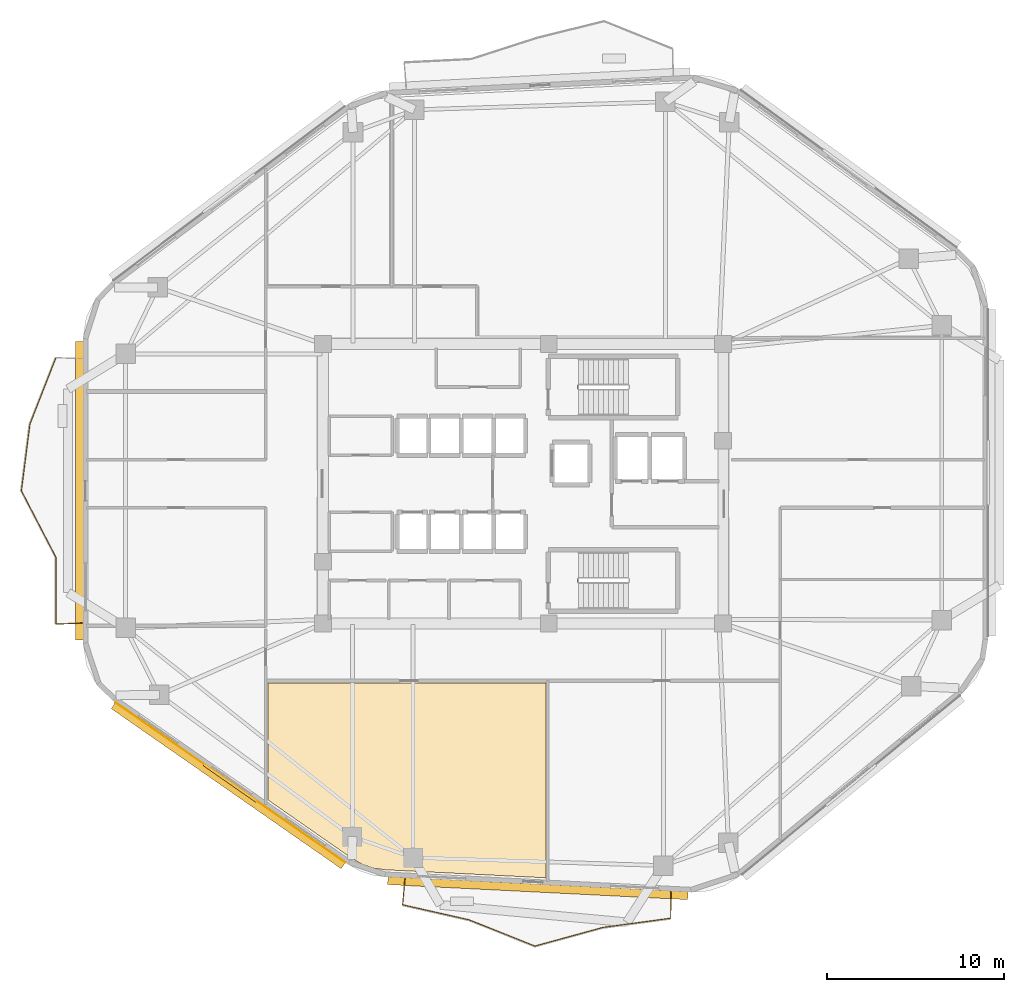
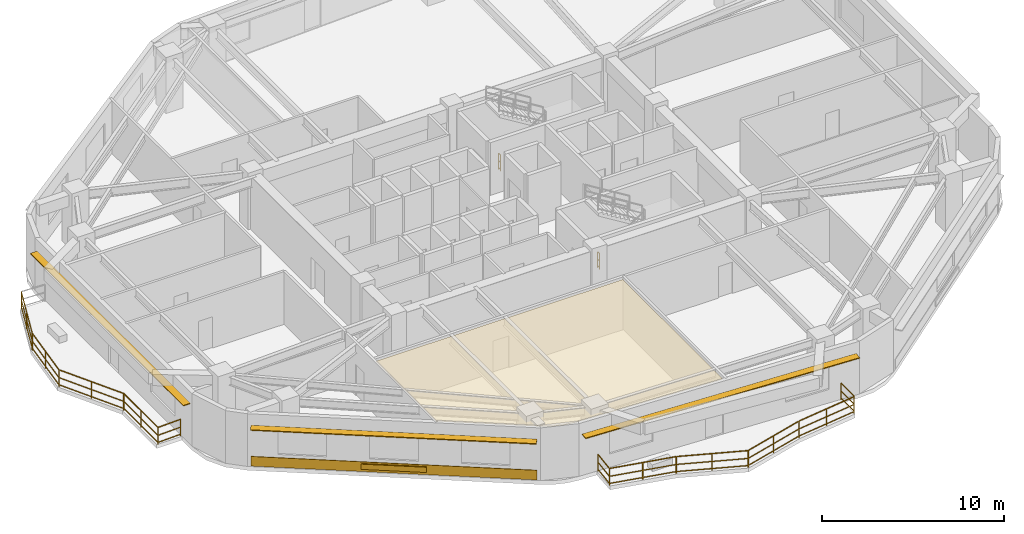
# One storey, part 7 of 9: 13 railings, 4 shading devices, 2 coverings.
"""IFC4 building model written with IfcOpenShell, lengths in metres."""

from ifc_helpers import new_model, si_unit, direction, frame, origin, origin_2d, place, context, subcontext, project, spatial, polyline, rectangle, outline, extrude, material, layer, layer_set, type_object, element, save


model = new_model("IFC4")

# Units and contexts
model_context = context("Model", 3, precision=1e-05, world=origin(), true_north=direction((0.0, 1.0)))
body_context = subcontext(model_context, "Body", "Model", "MODEL_VIEW")
ifc_project = project(units=[si_unit("LENGTHUNIT", "METRE"), si_unit("AREAUNIT", "SQUARE_METRE"), si_unit("VOLUMEUNIT", "CUBIC_METRE"), si_unit("PLANEANGLEUNIT", "RADIAN"), si_unit("MASSUNIT", "GRAM", prefix="KILO")], contexts=[model_context])

# Site, building, storey
site_placement = place(None, origin())
site = spatial("IfcSite", under=ifc_project, at=site_placement, CompositionType="ELEMENT")
building_placement = place(site_placement, origin())
building = spatial("IfcBuilding", under=site, at=building_placement, Name="Zulverin Broadcast Headquarters", CompositionType="ELEMENT")
storey_placement = place(building_placement, frame((0.0, 0.0, 144.0)))
storey = spatial("IfcBuildingStorey", under=building, at=storey_placement, Name="L36", CompositionType="ELEMENT", Elevation=144.0)

# Coverings
ifc_material_1 = material(Name="Perforated pale-metal acoustic baffle ceiling", Category="aluminium")
ifc_layer_1 = layer(ifc_material_1, 0.0400390625, Name="Perforated pale-metal acoustic baffle ceiling", Category="aluminium")
ifc_layer_set_1 = layer_set([ifc_layer_1], Name="Perforated pale-metal acoustic baffle ceiling")
covering_type_1 = type_object("IfcCoveringType", Name="COV-CEIL-ACOU", PredefinedType="CEILING", material=ifc_layer_set_1)
covering_1_placement = place(storey_placement, frame((0.0, 0.0, 3.360107421875)))
element("IfcCovering", 1, at=covering_1_placement, inside=storey, type_object=covering_type_1, Name="L36 Acoustic Baffle Ceiling 03", PredefinedType="CEILING", context=body_context, shape_type="SweptSolid", body=[
    extrude(outline(polyline([(27.947998046875, 3.748046875), (28.56396484375, 3.535888671875), (29.22802734375, 3.444091796875), (38.280029296875, 2.991943359375), (38.280029296875, 13.97998046875), (22.6201171875, 13.97998046875), (22.6201171875, 7.384033203125), (27.367919921875, 4.075927734375), (27.947998046875, 3.748046875)])), origin(), (0.0, 0.0, 1.0), 0.039794921875),
])
ifc_material_2 = material(Name="Brushed pale-aluminium rainscreen cladding", Category="aluminium")
ifc_layer_2 = layer(ifc_material_2, 0.0400390625, Name="Brushed pale-aluminium rainscreen cladding", Category="aluminium")
ifc_layer_set_2 = layer_set([ifc_layer_2], Name="Brushed pale-aluminium rainscreen cladding")
covering_type_2 = type_object("IfcCoveringType", Name="COV-CLAD-PALE", PredefinedType="CLADDING", material=ifc_layer_set_2)
covering_2_placement = place(storey_placement, frame((20.507568359375, 8.35400390625, 0.054931640625), z_axis=(0.0, 0.0, 1.0), x_axis=(0.820695732456, -0.57136548262, 0.0)))
element("IfcCovering", 2, at=covering_2_placement, inside=storey, type_object=covering_type_2, Name="L36 Brushed Pale-Aluminium Spandrel Cladding 8", PredefinedType="CLADDING", context=body_context, shape_type="SweptSolid", body=[
    extrude(rectangle(XDim=15.785400390625, YDim=0.0400390625, at=origin_2d()), origin(), (0.0, 0.0, 1.0), 0.64990234375),
])

# Railings
ifc_material_3 = material(Name="Brushed stainless steel & laminated glass balustrade", Category="steel")
railing_type_1 = type_object("IfcRailingType", Name="RL-GUARD-1150", PredefinedType="GUARDRAIL", material=ifc_material_3)
railing_1_placement = place(storey_placement, frame((10.674560546875, 32.304931640625, 0.0)))
element("IfcRailing", 3, at=railing_1_placement, inside=storey, type_object=railing_type_1, Name="L36 Vertical-Forest Balcony Guardrail BAL_W Segment 02", PredefinedType="GUARDRAIL", context=body_context, shape_type="SweptSolid", body=[
    extrude(rectangle(XDim=0.048095703125, YDim=0.048095703125, at=origin_2d()), frame((0.0, 0.0, 1.1259765625), z_axis=(-0.364486676699, -0.931208603112, 0.0), x_axis=(0.931208603112, -0.364486676699, 0.0)), (0.0, 0.0, 1.0), 4.005615234375),
    extrude(rectangle(XDim=0.0419921875, YDim=0.0419921875, at=origin_2d()), frame((0.0, 0.0, 0.597900390625), z_axis=(-0.364486676699, -0.931208603112, 0.0), x_axis=(0.931208603112, -0.364486676699, 0.0)), (0.0, 0.0, 1.0), 4.005615234375),
    extrude(rectangle(XDim=0.0419921875, YDim=0.0419921875, at=origin_2d()), frame((0.0, 0.0, 0.1201171875), z_axis=(-0.364486676699, -0.931208603112, 0.0), x_axis=(0.931208603112, -0.364486676699, 0.0)), (0.0, 0.0, 1.0), 4.005615234375),
    extrude(rectangle(XDim=0.0419921875, YDim=0.0419921875, at=origin_2d()), origin(), (0.0, 0.0, 1.0), 1.101806640625),
    extrude(rectangle(XDim=0.0419921875, YDim=0.0419921875, at=origin_2d()), frame((-0.72998046875, -1.864990234375, 0.0)), (0.0, 0.0, 1.0), 1.101806640625),
    extrude(rectangle(XDim=0.0419921875, YDim=0.0419921875, at=origin_2d()), frame((-1.4599609375, -3.72998046875, 0.0)), (0.0, 0.0, 1.0), 1.101806640625),
])
railing_2_placement = place(storey_placement, frame((9.207275390625, 28.5458984375, 0.0)))
element("IfcRailing", 4, at=railing_2_placement, inside=storey, type_object=railing_type_1, Name="L36 Vertical-Forest Balcony Guardrail BAL_W Segment 03", PredefinedType="GUARDRAIL", context=body_context, shape_type="SweptSolid", body=[
    extrude(rectangle(XDim=0.048095703125, YDim=0.048095703125, at=origin_2d()), frame((0.0, 0.0, 1.1259765625), z_axis=(-0.126480924706, -0.991969039681, 0.0), x_axis=(0.991969039681, -0.126480924706, 0.0)), (0.0, 0.0, 1.0), 3.75830078125),
    extrude(rectangle(XDim=0.0419921875, YDim=0.0419921875, at=origin_2d()), frame((0.0, 0.0, 0.597900390625), z_axis=(-0.126480924706, -0.991969039681, 0.0), x_axis=(0.991969039681, -0.126480924706, 0.0)), (0.0, 0.0, 1.0), 3.75830078125),
    extrude(rectangle(XDim=0.0419921875, YDim=0.0419921875, at=origin_2d()), frame((0.0, 0.0, 0.1201171875), z_axis=(-0.126480924706, -0.991969039681, 0.0), x_axis=(0.991969039681, -0.126480924706, 0.0)), (0.0, 0.0, 1.0), 3.75830078125),
    extrude(rectangle(XDim=0.0419921875, YDim=0.0419921875, at=origin_2d()), origin(), (0.0, 0.0, 1.0), 1.101806640625),
    extrude(rectangle(XDim=0.0419921875, YDim=0.0419921875, at=origin_2d()), frame((-0.23779296875, -1.864013671875, 0.0)), (0.0, 0.0, 1.0), 1.101806640625),
    extrude(rectangle(XDim=0.0419921875, YDim=0.0419921875, at=origin_2d()), frame((-0.475341796875, -3.72802734375, 0.0)), (0.0, 0.0, 1.0), 1.101806640625),
])
railing_3_placement = place(storey_placement, frame((8.73681640625, 24.78955078125, 0.0)))
element("IfcRailing", 5, at=railing_3_placement, inside=storey, type_object=railing_type_1, Name="L36 Vertical-Forest Balcony Guardrail BAL_W Segment 04", PredefinedType="GUARDRAIL", context=body_context, shape_type="SweptSolid", body=[
    extrude(rectangle(XDim=0.048095703125, YDim=0.048095703125, at=origin_2d()), frame((0.0, 0.0, 1.1259765625), z_axis=(0.460590062173, -0.887612975698, 0.0), x_axis=(0.887612975698, 0.460590062173, 0.0)), (0.0, 0.0, 1.0), 4.203857421875),
    extrude(rectangle(XDim=0.0419921875, YDim=0.0419921875, at=origin_2d()), frame((0.0, 0.0, 0.597900390625), z_axis=(0.460590062173, -0.887612975698, 0.0), x_axis=(0.887612975698, 0.460590062173, 0.0)), (0.0, 0.0, 1.0), 4.203857421875),
    extrude(rectangle(XDim=0.0419921875, YDim=0.0419921875, at=origin_2d()), frame((0.0, 0.0, 0.1201171875), z_axis=(0.460590062173, -0.887612975698, 0.0), x_axis=(0.887612975698, 0.460590062173, 0.0)), (0.0, 0.0, 1.0), 4.203857421875),
    extrude(rectangle(XDim=0.0419921875, YDim=0.0419921875, at=origin_2d()), origin(), (0.0, 0.0, 1.0), 1.101806640625),
    extrude(rectangle(XDim=0.0419921875, YDim=0.0419921875, at=origin_2d()), frame((0.96826171875, -1.86572265625, 0.0)), (0.0, 0.0, 1.0), 1.101806640625),
    extrude(rectangle(XDim=0.0419921875, YDim=0.0419921875, at=origin_2d()), frame((1.936279296875, -3.7314453125, 0.0)), (0.0, 0.0, 1.0), 1.101806640625),
])
railing_4_placement = place(storey_placement, frame((10.679931640625, 21.02978515625, 0.0)))
element("IfcRailing", 6, at=railing_4_placement, inside=storey, type_object=railing_type_1, Name="L36 Vertical-Forest Balcony Guardrail BAL_W Segment 05", PredefinedType="GUARDRAIL", context=body_context, shape_type="SweptSolid", body=[
    extrude(rectangle(XDim=0.048095703125, YDim=0.048095703125, at=origin_2d()), frame((0.0, 0.0, 1.1259765625), z_axis=(0.0, -1.0, 0.0), x_axis=(1.0, 0.0, 0.0)), (0.0, 0.0, 1.0), 3.727783203125),
    extrude(rectangle(XDim=0.0419921875, YDim=0.0419921875, at=origin_2d()), frame((0.0, 0.0, 0.597900390625), z_axis=(0.0, -1.0, 0.0), x_axis=(1.0, 0.0, 0.0)), (0.0, 0.0, 1.0), 3.727783203125),
    extrude(rectangle(XDim=0.0419921875, YDim=0.0419921875, at=origin_2d()), frame((0.0, 0.0, 0.1201171875), z_axis=(0.0, -1.0, 0.0), x_axis=(1.0, 0.0, 0.0)), (0.0, 0.0, 1.0), 3.727783203125),
    extrude(rectangle(XDim=0.0419921875, YDim=0.0419921875, at=origin_2d()), origin(), (0.0, 0.0, 1.0), 1.101806640625),
    extrude(rectangle(XDim=0.0419921875, YDim=0.0419921875, at=origin_2d()), frame((0.0, -1.86376953125, 0.0)), (0.0, 0.0, 1.0), 1.101806640625),
    extrude(rectangle(XDim=0.0419921875, YDim=0.0419921875, at=origin_2d()), frame((0.0, -3.727783203125, 0.0)), (0.0, 0.0, 1.0), 1.101806640625),
])
railing_5_placement = place(storey_placement, frame((10.695068359375, 17.28759765625, 0.0)))
element("IfcRailing", 7, at=railing_5_placement, inside=storey, type_object=railing_type_1, Name="L36 Vertical-Forest Balcony Guardrail BAL_W Segment 06", PredefinedType="GUARDRAIL", context=body_context, shape_type="SweptSolid", body=[
    extrude(rectangle(XDim=0.048095703125, YDim=0.048095703125, at=origin_2d()), frame((0.0, 0.0, 1.1259765625), z_axis=(0.99918088253, 0.040466825742, 0.0), x_axis=(-0.040466825742, 0.99918088253, 0.0)), (0.0, 0.0, 1.0), 1.466064453125),
    extrude(rectangle(XDim=0.0419921875, YDim=0.0419921875, at=origin_2d()), frame((0.0, 0.0, 0.597900390625), z_axis=(0.99918088253, 0.040466825742, 0.0), x_axis=(-0.040466825742, 0.99918088253, 0.0)), (0.0, 0.0, 1.0), 1.466064453125),
    extrude(rectangle(XDim=0.0419921875, YDim=0.0419921875, at=origin_2d()), frame((0.0, 0.0, 0.1201171875), z_axis=(0.99918088253, 0.040466825742, 0.0), x_axis=(-0.040466825742, 0.99918088253, 0.0)), (0.0, 0.0, 1.0), 1.466064453125),
    extrude(rectangle(XDim=0.0419921875, YDim=0.0419921875, at=origin_2d()), origin(), (0.0, 0.0, 1.0), 1.101806640625),
    extrude(rectangle(XDim=0.0419921875, YDim=0.0419921875, at=origin_2d()), frame((1.46484375, 0.059326171875, 0.0)), (0.0, 0.0, 1.0), 1.101806640625),
])
railing_6_placement = place(storey_placement, frame((30.344482421875, 2.94580078125, 0.0)))
element("IfcRailing", 8, at=railing_6_placement, inside=storey, type_object=railing_type_1, Name="L36 Vertical-Forest Balcony Guardrail BAL_S Segment 01", PredefinedType="GUARDRAIL", context=body_context, shape_type="SweptSolid", body=[
    extrude(rectangle(XDim=0.048095703125, YDim=0.048095703125, at=origin_2d()), frame((0.0, 0.0, 1.1259765625), z_axis=(-0.090580785215, -0.995889110971, 0.0), x_axis=(0.995889110971, -0.090580785215, 0.0)), (0.0, 0.0, 1.0), 1.46630859375),
    extrude(rectangle(XDim=0.0419921875, YDim=0.0419921875, at=origin_2d()), frame((0.0, 0.0, 0.597900390625), z_axis=(-0.090580785215, -0.995889110971, 0.0), x_axis=(0.995889110971, -0.090580785215, 0.0)), (0.0, 0.0, 1.0), 1.46630859375),
    extrude(rectangle(XDim=0.0419921875, YDim=0.0419921875, at=origin_2d()), frame((0.0, 0.0, 0.1201171875), z_axis=(-0.090580785215, -0.995889110971, 0.0), x_axis=(0.995889110971, -0.090580785215, 0.0)), (0.0, 0.0, 1.0), 1.46630859375),
    extrude(rectangle(XDim=0.0419921875, YDim=0.0419921875, at=origin_2d()), origin(), (0.0, 0.0, 1.0), 1.101806640625),
    extrude(rectangle(XDim=0.0419921875, YDim=0.0419921875, at=origin_2d()), frame((-0.1328125, -1.460205078125, 0.0)), (0.0, 0.0, 1.0), 1.101806640625),
])
railing_7_placement = place(storey_placement, frame((30.224853515625, 1.467529296875, 0.0)))
element("IfcRailing", 9, at=railing_7_placement, inside=storey, type_object=railing_type_1, Name="L36 Vertical-Forest Balcony Guardrail BAL_S Segment 02", PredefinedType="GUARDRAIL", context=body_context, shape_type="SweptSolid", body=[
    extrude(rectangle(XDim=0.048095703125, YDim=0.048095703125, at=origin_2d()), frame((0.0, 0.0, 1.1259765625), z_axis=(0.975347657154, -0.220673849116, 0.0), x_axis=(0.220673849116, 0.975347657154, 0.0)), (0.0, 0.0, 1.0), 3.810302734375),
    extrude(rectangle(XDim=0.0419921875, YDim=0.0419921875, at=origin_2d()), frame((0.0, 0.0, 0.597900390625), z_axis=(0.975347657154, -0.220673849116, 0.0), x_axis=(0.220673849116, 0.975347657154, 0.0)), (0.0, 0.0, 1.0), 3.810302734375),
    extrude(rectangle(XDim=0.0419921875, YDim=0.0419921875, at=origin_2d()), frame((0.0, 0.0, 0.1201171875), z_axis=(0.975347657154, -0.220673849116, 0.0), x_axis=(0.220673849116, 0.975347657154, 0.0)), (0.0, 0.0, 1.0), 3.810302734375),
    extrude(rectangle(XDim=0.0419921875, YDim=0.0419921875, at=origin_2d()), origin(), (0.0, 0.0, 1.0), 1.101806640625),
    extrude(rectangle(XDim=0.0419921875, YDim=0.0419921875, at=origin_2d()), frame((1.858154296875, -0.42041015625, 0.0)), (0.0, 0.0, 1.0), 1.101806640625),
    extrude(rectangle(XDim=0.0419921875, YDim=0.0419921875, at=origin_2d()), frame((3.71630859375, -0.8408203125, 0.0)), (0.0, 0.0, 1.0), 1.101806640625),
])
railing_8_placement = place(storey_placement, frame((33.9697265625, 0.617919921875, 0.0)))
element("IfcRailing", 10, at=railing_8_placement, inside=storey, type_object=railing_type_1, Name="L36 Vertical-Forest Balcony Guardrail BAL_S Segment 03", PredefinedType="GUARDRAIL", context=body_context, shape_type="SweptSolid", body=[
    extrude(rectangle(XDim=0.048095703125, YDim=0.048095703125, at=origin_2d()), frame((0.0, 0.0, 1.1259765625), z_axis=(0.929001993769, -0.370074716204, 0.0), x_axis=(0.370074716204, 0.929001993769, 0.0)), (0.0, 0.0, 1.0), 3.967529296875),
    extrude(rectangle(XDim=0.0419921875, YDim=0.0419921875, at=origin_2d()), frame((0.0, 0.0, 0.597900390625), z_axis=(0.929001993769, -0.370074716204, 0.0), x_axis=(0.370074716204, 0.929001993769, 0.0)), (0.0, 0.0, 1.0), 3.967529296875),
    extrude(rectangle(XDim=0.0419921875, YDim=0.0419921875, at=origin_2d()), frame((0.0, 0.0, 0.1201171875), z_axis=(0.929001993769, -0.370074716204, 0.0), x_axis=(0.370074716204, 0.929001993769, 0.0)), (0.0, 0.0, 1.0), 3.967529296875),
    extrude(rectangle(XDim=0.0419921875, YDim=0.0419921875, at=origin_2d()), origin(), (0.0, 0.0, 1.0), 1.101806640625),
    extrude(rectangle(XDim=0.0419921875, YDim=0.0419921875, at=origin_2d()), frame((1.8427734375, -0.734130859375, 0.0)), (0.0, 0.0, 1.0), 1.101806640625),
    extrude(rectangle(XDim=0.0419921875, YDim=0.0419921875, at=origin_2d()), frame((3.685791015625, -1.46826171875, 0.0)), (0.0, 0.0, 1.0), 1.101806640625),
])
railing_9_placement = place(storey_placement, frame((37.68408203125, -0.851806640625, 0.0)))
element("IfcRailing", 11, at=railing_9_placement, inside=storey, type_object=railing_type_1, Name="L36 Vertical-Forest Balcony Guardrail BAL_S Segment 04", PredefinedType="GUARDRAIL", context=body_context, shape_type="SweptSolid", body=[
    extrude(rectangle(XDim=0.048095703125, YDim=0.048095703125, at=origin_2d()), frame((0.0, 0.0, 1.1259765625), z_axis=(0.964482436146, 0.264146986291, 0.0), x_axis=(-0.264146986291, 0.964482436146, 0.0)), (0.0, 0.0, 1.0), 3.9521484375),
    extrude(rectangle(XDim=0.0419921875, YDim=0.0419921875, at=origin_2d()), frame((0.0, 0.0, 0.597900390625), z_axis=(0.964482436146, 0.264146986291, 0.0), x_axis=(-0.264146986291, 0.964482436146, 0.0)), (0.0, 0.0, 1.0), 3.9521484375),
    extrude(rectangle(XDim=0.0419921875, YDim=0.0419921875, at=origin_2d()), frame((0.0, 0.0, 0.1201171875), z_axis=(0.964482436146, 0.264146986291, 0.0), x_axis=(-0.264146986291, 0.964482436146, 0.0)), (0.0, 0.0, 1.0), 3.9521484375),
    extrude(rectangle(XDim=0.0419921875, YDim=0.0419921875, at=origin_2d()), origin(), (0.0, 0.0, 1.0), 1.101806640625),
    extrude(rectangle(XDim=0.0419921875, YDim=0.0419921875, at=origin_2d()), frame((1.90576171875, 0.52197265625, 0.0)), (0.0, 0.0, 1.0), 1.101806640625),
    extrude(rectangle(XDim=0.0419921875, YDim=0.0419921875, at=origin_2d()), frame((3.811767578125, 1.0439453125, 0.0)), (0.0, 0.0, 1.0), 1.101806640625),
])
railing_10_placement = place(storey_placement, frame((41.525146484375, 0.1982421875, 0.0)))
element("IfcRailing", 12, at=railing_10_placement, inside=storey, type_object=railing_type_1, Name="L36 Vertical-Forest Balcony Guardrail BAL_S Segment 05", PredefinedType="GUARDRAIL", context=body_context, shape_type="SweptSolid", body=[
    extrude(rectangle(XDim=0.048095703125, YDim=0.048095703125, at=origin_2d()), frame((0.0, 0.0, 1.1259765625), z_axis=(0.990962363255, 0.134140205053, 0.0), x_axis=(-0.134140205053, 0.990962363255, 0.0)), (0.0, 0.0, 1.0), 3.818359375),
    extrude(rectangle(XDim=0.0419921875, YDim=0.0419921875, at=origin_2d()), frame((0.0, 0.0, 0.597900390625), z_axis=(0.990962363255, 0.134140205053, 0.0), x_axis=(-0.134140205053, 0.990962363255, 0.0)), (0.0, 0.0, 1.0), 3.818359375),
    extrude(rectangle(XDim=0.0419921875, YDim=0.0419921875, at=origin_2d()), frame((0.0, 0.0, 0.1201171875), z_axis=(0.990962363255, 0.134140205053, 0.0), x_axis=(-0.134140205053, 0.990962363255, 0.0)), (0.0, 0.0, 1.0), 3.818359375),
    extrude(rectangle(XDim=0.0419921875, YDim=0.0419921875, at=origin_2d()), origin(), (0.0, 0.0, 1.0), 1.101806640625),
    extrude(rectangle(XDim=0.0419921875, YDim=0.0419921875, at=origin_2d()), frame((1.89208984375, 0.256103515625, 0.0)), (0.0, 0.0, 1.0), 1.101806640625),
    extrude(rectangle(XDim=0.0419921875, YDim=0.0419921875, at=origin_2d()), frame((3.783935546875, 0.51220703125, 0.0)), (0.0, 0.0, 1.0), 1.101806640625),
])
railing_11_placement = place(storey_placement, frame((45.32421875, 0.7275390625, 0.0)))
element("IfcRailing", 13, at=railing_11_placement, inside=storey, type_object=railing_type_1, Name="L36 Vertical-Forest Balcony Guardrail BAL_S Segment 06", PredefinedType="GUARDRAIL", context=body_context, shape_type="SweptSolid", body=[
    extrude(rectangle(XDim=0.048095703125, YDim=0.048095703125, at=origin_2d()), frame((0.0, 0.0, 1.1259765625), z_axis=(0.009658167329, 0.999953358814, 0.0), x_axis=(-0.999953358814, 0.009658167329, 0.0)), (0.0, 0.0, 1.0), 1.466064453125),
    extrude(rectangle(XDim=0.0419921875, YDim=0.0419921875, at=origin_2d()), frame((0.0, 0.0, 0.597900390625), z_axis=(0.009658167329, 0.999953358814, 0.0), x_axis=(-0.999953358814, 0.009658167329, 0.0)), (0.0, 0.0, 1.0), 1.466064453125),
    extrude(rectangle(XDim=0.0419921875, YDim=0.0419921875, at=origin_2d()), frame((0.0, 0.0, 0.1201171875), z_axis=(0.009658167329, 0.999953358814, 0.0), x_axis=(-0.999953358814, 0.009658167329, 0.0)), (0.0, 0.0, 1.0), 1.466064453125),
    extrude(rectangle(XDim=0.0419921875, YDim=0.0419921875, at=origin_2d()), origin(), (0.0, 0.0, 1.0), 1.101806640625),
    extrude(rectangle(XDim=0.0419921875, YDim=0.0419921875, at=origin_2d()), frame((0.01416015625, 1.466064453125, 0.0)), (0.0, 0.0, 1.0), 1.101806640625),
])
ifc_material_4 = material(Name="Painted galvanized steel tubular guardrail S355JR", Category="steel")
railing_type_2 = type_object("IfcRailingType", Name="RL-ST-GUARD", PredefinedType="GUARDRAIL", material=ifc_material_4)
railing_12_placement = place(storey_placement, frame((40.080078125, 30.550048828125, 0.0)))
element("IfcRailing", 14, at=railing_12_placement, inside=storey, type_object=railing_type_2, Name="L36 ST-1 stair guard 4", PredefinedType="GUARDRAIL", context=body_context, shape_type="SweptSolid", body=[
    extrude(rectangle(XDim=0.048095703125, YDim=0.048095703125, at=origin_2d()), frame((0.0, 0.0, 1.076171875), z_axis=(0.0, 1.0, 0.0), x_axis=(-1.0, 0.0, 0.0)), (0.0, 0.0, 1.0), 0.199951171875),
    extrude(rectangle(XDim=0.0419921875, YDim=0.0419921875, at=origin_2d()), frame((0.0, 0.0, 0.572021484375), z_axis=(0.0, 1.0, 0.0), x_axis=(-1.0, 0.0, 0.0)), (0.0, 0.0, 1.0), 0.199951171875),
    extrude(rectangle(XDim=0.0419921875, YDim=0.0419921875, at=origin_2d()), frame((0.0, 0.0, 0.1201171875), z_axis=(0.0, 1.0, 0.0), x_axis=(-1.0, 0.0, 0.0)), (0.0, 0.0, 1.0), 0.199951171875),
    extrude(rectangle(XDim=0.0419921875, YDim=0.0419921875, at=origin_2d()), origin(), (0.0, 0.0, 1.0), 1.052001953125),
    extrude(rectangle(XDim=0.0419921875, YDim=0.0419921875, at=origin_2d()), frame((0.0, 0.199951171875, 0.0)), (0.0, 0.0, 1.0), 1.052001953125),
])
railing_13_placement = place(storey_placement, frame((40.080078125, 19.64990234375, 0.0)))
element("IfcRailing", 15, at=railing_13_placement, inside=storey, type_object=railing_type_2, Name="L36 ST-2 stair guard 4", PredefinedType="GUARDRAIL", context=body_context, shape_type="SweptSolid", body=[
    extrude(rectangle(XDim=0.048095703125, YDim=0.048095703125, at=origin_2d()), frame((0.0, 0.0, 1.076171875), z_axis=(0.0, 1.0, 0.0), x_axis=(-1.0, 0.0, 0.0)), (0.0, 0.0, 1.0), 0.2001953125),
    extrude(rectangle(XDim=0.0419921875, YDim=0.0419921875, at=origin_2d()), frame((0.0, 0.0, 0.572021484375), z_axis=(0.0, 1.0, 0.0), x_axis=(-1.0, 0.0, 0.0)), (0.0, 0.0, 1.0), 0.2001953125),
    extrude(rectangle(XDim=0.0419921875, YDim=0.0419921875, at=origin_2d()), frame((0.0, 0.0, 0.1201171875), z_axis=(0.0, 1.0, 0.0), x_axis=(-1.0, 0.0, 0.0)), (0.0, 0.0, 1.0), 0.2001953125),
    extrude(rectangle(XDim=0.0419921875, YDim=0.0419921875, at=origin_2d()), origin(), (0.0, 0.0, 1.0), 1.052001953125),
    extrude(rectangle(XDim=0.0419921875, YDim=0.0419921875, at=origin_2d()), frame((0.0, 0.2001953125, 0.0)), (0.0, 0.0, 1.0), 1.052001953125),
])

# Shading devices
ifc_material_5 = material(Name="Anodized pale-metal aluminium acoustic louvre", Category="aluminium")
shading_device_type_1 = type_object("IfcShadingDeviceType", Name="SHD-LOUVRE-350", PredefinedType="USERDEFINED", material=ifc_material_5)
shading_device_1_placement = place(storey_placement, frame((20.490478515625, 8.32958984375, 0.244873046875), z_axis=(0.0, 0.0, 1.0), x_axis=(0.820695732456, -0.57136548262, 0.0)))
element("IfcShadingDevice", 16, at=shading_device_1_placement, inside=storey, type_object=shading_device_type_1, Name="L36 Spandrel Intake Louvre 8", ObjectType="LOUVRE", PredefinedType="USERDEFINED", context=body_context, shape_type="SweptSolid", body=[
    extrude(rectangle(XDim=3.60009765625, YDim=0.1201171875, at=origin_2d()), origin(), (0.0, 0.0, 1.0), 0.35009765625),
])
ifc_material_6 = material(Name="Anodized pale-metal aluminium sunshade", Category="aluminium")
ifc_layer_3 = layer(ifc_material_6, 0.06005859375, Name="Anodized pale-metal aluminium sunshade", Category="aluminium")
ifc_layer_set_3 = layer_set([ifc_layer_3], Name="Anodized pale-metal aluminium sunshade")
shading_device_type_2 = type_object("IfcShadingDeviceType", Name="SS-01_PALE_METAL_ALUMINIUM_SUNSHADE", PredefinedType="USERDEFINED", material=ifc_layer_set_3)
shading_device_2_placement = place(storey_placement, frame((37.83349609375, 2.409912109375, 2.7099609375), z_axis=(0.0, 0.0, 1.0), x_axis=(0.99874387485, -0.050106610841, 0.0)))
element("IfcShadingDevice", 17, at=shading_device_2_placement, inside=storey, type_object=shading_device_type_2, Name="L36 Horizontal Pale-Metal Sunshade Band 1", ObjectType="SUNSHADE", PredefinedType="USERDEFINED", context=body_context, shape_type="SweptSolid", body=[
    extrude(rectangle(XDim=16.932861328125, YDim=0.449951171875, at=origin_2d()), origin(), (0.0, 0.0, 1.0), 0.06005859375),
])
shading_device_3_placement = place(storey_placement, frame((12.0, 24.802978515625, 2.7099609375), z_axis=(0.0, 0.0, 1.0), x_axis=(0.0, -1.0, 0.0)))
element("IfcShadingDevice", 18, at=shading_device_3_placement, inside=storey, type_object=shading_device_type_2, Name="L36 Horizontal Pale-Metal Sunshade Band 7", ObjectType="SUNSHADE", PredefinedType="USERDEFINED", context=body_context, shape_type="SweptSolid", body=[
    extrude(rectangle(XDim=16.83203125, YDim=0.449951171875, at=origin_2d()), origin(), (0.0, 0.0, 1.0), 0.06005859375),
])
shading_device_4_placement = place(storey_placement, frame((20.399169921875, 8.1982421875, 2.7099609375), z_axis=(0.0, 0.0, 1.0), x_axis=(0.820695732456, -0.57136548262, 0.0)))
element("IfcShadingDevice", 19, at=shading_device_4_placement, inside=storey, type_object=shading_device_type_2, Name="L36 Horizontal Pale-Metal Sunshade Band 8", ObjectType="SUNSHADE", PredefinedType="USERDEFINED", context=body_context, shape_type="SweptSolid", body=[
    extrude(rectangle(XDim=15.785400390625, YDim=0.449951171875, at=origin_2d()), origin(), (0.0, 0.0, 1.0), 0.06005859375),
])

save(model, "model.ifc")
